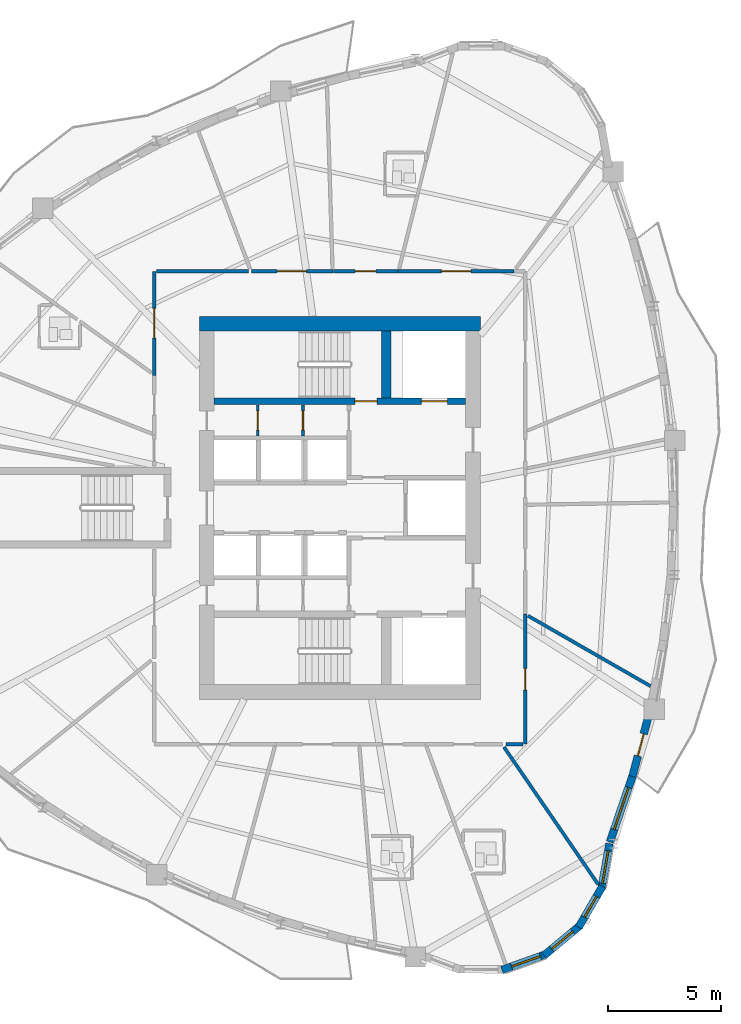
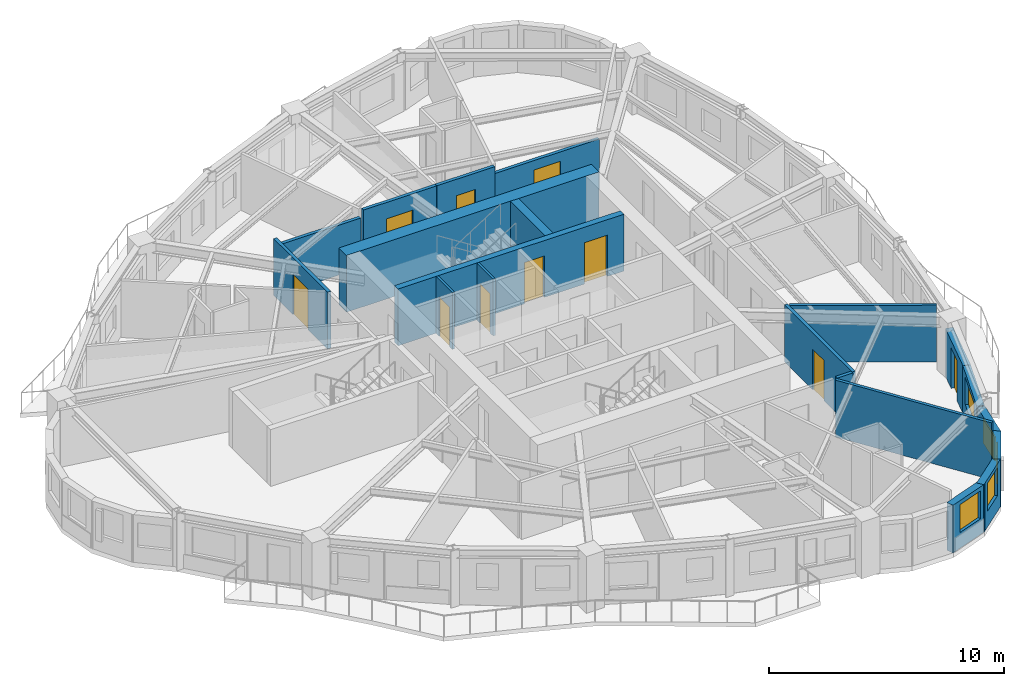
# One storey, part 6 of 12: 20 walls, 10 doors, 5 windows, 15 openings.
"""IFC4 building model written with IfcOpenShell, lengths in metres."""

import ifcopenshell
import ifcopenshell.guid

model = None  # the IFC model being written
_history = None  # IfcOwnerHistory: only IFC2X3 demands one
_inside = {}  # id of a spatial element -> (the spatial element, [elements in it])
_under = {}  # id of a project, library or spatial element -> (it, [spatial elements below it])
_declared = {}  # id of a project -> (the project, [libraries it declares])
_typed = {}  # id of a type object -> (the type object, [elements of that type])
_made_of = {}  # id of a material, layer set ... -> (it, [elements and type objects made of it])


def new_model(schema):
    """Start an empty IFC model of exactly this schema.

    Asked for "IFC4X3", IfcOpenShell would pick the latest addendum, in which some entities
    have other attributes; the version numbers below select the first issue.
    IFC2X3 requires an IfcOwnerHistory on every rooted entity: one is made here for all.
    """
    global model, _history
    if schema == "IFC4X3":
        model = ifcopenshell.file(schema_version=(4, 3, 0, 0))
    else:
        model = ifcopenshell.file(schema=schema)
    _inside.clear()
    _under.clear()
    _declared.clear()
    _typed.clear()
    _made_of.clear()
    _history = None
    if model.schema == "IFC2X3":
        org = make("IfcOrganization", Name="unknown")
        user = make(
            "IfcPersonAndOrganization",
            ThePerson=make("IfcPerson", FamilyName="unknown"),
            TheOrganization=org,
        )
        app = make(
            "IfcApplication",
            ApplicationDeveloper=org,
            Version="unknown",
            ApplicationFullName="unknown",
            ApplicationIdentifier="unknown",
        )
        _history = make(
            "IfcOwnerHistory",
            OwningUser=user,
            OwningApplication=app,
            ChangeAction="ADDED",
            CreationDate=0,
        )
    return model


def make(cls, **values):
    """One entity of the class cls with the attributes given. An attribute that is None is left unset."""
    return model.create_entity(
        cls, **{name: value for name, value in values.items() if value is not None}
    )


def rooted(cls, **values):
    """An entity with a GlobalId (a new one), such as an element, a storey or a relation."""
    return make(cls, GlobalId=ifcopenshell.guid.new(), OwnerHistory=_history, **values)


def si_unit(unit_type, name, prefix=None):
    """IfcSIUnit, for example si_unit("LENGTHUNIT", "METRE", prefix="MILLI")."""
    return make("IfcSIUnit", UnitType=unit_type, Prefix=prefix, Name=name)


def assignment(units):
    """IfcUnitAssignment: the units of a project."""
    return None if units is None else make("IfcUnitAssignment", Units=units)


def point(xyz):
    """IfcCartesianPoint."""
    return None if xyz is None else make("IfcCartesianPoint", Coordinates=xyz)


def direction(xyz):
    """IfcDirection."""
    return None if xyz is None else make("IfcDirection", DirectionRatios=xyz)


def frame(location, z_axis=None, x_axis=None):
    """IfcAxis2Placement3D, a coordinate frame: its origin and axes. An axis left out is left unset."""
    return make(
        "IfcAxis2Placement3D",
        Location=point(location),
        Axis=direction(z_axis),
        RefDirection=direction(x_axis),
    )


def frame_2d(location, x_axis=None):
    """IfcAxis2Placement2D, a coordinate frame in the plane: its origin and x axis."""
    return make(
        "IfcAxis2Placement2D", Location=point(location), RefDirection=direction(x_axis)
    )


def origin():
    """The frame at (0, 0, 0) with its axes left unset."""
    return frame((0.0, 0.0, 0.0))


def place(relative_to, where):
    """IfcLocalPlacement: puts the frame where relative to a parent placement (None: the world)."""
    return make(
        "IfcLocalPlacement", PlacementRelTo=relative_to, RelativePlacement=where
    )


def context(
    kind, dimensions, precision=None, world=None, true_north=None, identifier=None
):
    """IfcGeometricRepresentationContext, for example the 3D "Model" context."""
    return make(
        "IfcGeometricRepresentationContext",
        ContextIdentifier=identifier,
        ContextType=kind,
        CoordinateSpaceDimension=dimensions,
        Precision=precision,
        WorldCoordinateSystem=world,
        TrueNorth=true_north,
    )


def subcontext(parent, identifier, kind, view, scale=None):
    """IfcGeometricRepresentationSubContext, for example "Body" below "Model"."""
    return make(
        "IfcGeometricRepresentationSubContext",
        ContextIdentifier=identifier,
        ContextType=kind,
        ParentContext=parent,
        TargetScale=scale,
        TargetView=view,
    )


def project(units=None, contexts=None):
    """IfcProject with its units and contexts."""
    return rooted(
        "IfcProject",
        Name="project",
        RepresentationContexts=contexts,
        UnitsInContext=assignment(units),
    )


def spatial(cls, under=None, at=None, **own):
    """A site, building, storey or space (cls), placed at a placement, below another one or the project."""
    s = rooted(cls, ObjectPlacement=at, **own)
    if under is not None:
        _under.setdefault(under.id(), (under, []))[1].append(s)
    return s


def profile(cls, at=None, kind="AREA", **sizes):
    """A parametric profile (cls). Its sizes go by their IFC names, for example OverallWidth=200.0."""
    return make(cls, ProfileType=kind, Position=at, **sizes)


def rectangle(**sizes):
    """IfcRectangleProfileDef."""
    return profile("IfcRectangleProfileDef", **sizes)


def extrude(swept, where, along, depth):
    """IfcExtrudedAreaSolid: the profile swept, set in the frame where, extruded along a direction by depth."""
    return make(
        "IfcExtrudedAreaSolid",
        SweptArea=swept,
        Position=where,
        ExtrudedDirection=direction(along),
        Depth=depth,
    )


def shape(context_of_items, identifier, shape_type, items):
    """IfcShapeRepresentation: the items that make up one representation, for example the "Body"."""
    return make(
        "IfcShapeRepresentation",
        ContextOfItems=context_of_items,
        RepresentationIdentifier=identifier,
        RepresentationType=shape_type,
        Items=items,
    )


def source(mapping_origin, context_of_items, identifier, shape_type, items):
    """IfcRepresentationMap: a shape defined once, which mapped items show again and again."""
    return make(
        "IfcRepresentationMap",
        MappingOrigin=mapping_origin,
        MappedRepresentation=shape(context_of_items, identifier, shape_type, items),
    )


def transform(
    local_origin,
    x_axis=None,
    y_axis=None,
    z_axis=None,
    scale=None,
    scale2=None,
    scale3=None,
    uniform=True,
):
    """IfcCartesianTransformationOperator3D, or its non-uniform kind. x_axis, y_axis, z_axis: its Axis1, 2, 3."""
    if uniform:
        return make(
            "IfcCartesianTransformationOperator3D",
            Axis1=direction(x_axis),
            Axis2=direction(y_axis),
            LocalOrigin=point(local_origin),
            Scale=scale,
            Axis3=direction(z_axis),
        )
    return make(
        "IfcCartesianTransformationOperator3DnonUniform",
        Axis1=direction(x_axis),
        Axis2=direction(y_axis),
        LocalOrigin=point(local_origin),
        Scale=scale,
        Axis3=direction(z_axis),
        Scale2=scale2,
        Scale3=scale3,
    )


def mapped(mapping_source, mapping_target):
    """IfcMappedItem: shows the shape of a source again, moved by a transform."""
    return make(
        "IfcMappedItem", MappingSource=mapping_source, MappingTarget=mapping_target
    )


def material(Name=None, Category=None):
    """IfcMaterial."""
    return make("IfcMaterial", Name=Name, Category=Category)


def layer(
    of_material, thickness, ventilated=None, Name=None, Category=None, Priority=None
):
    """IfcMaterialLayer: one layer of a wall or slab, of a material (None: an air gap)."""
    return make(
        "IfcMaterialLayer",
        Material=of_material,
        LayerThickness=thickness,
        IsVentilated=ventilated,
        Name=Name,
        Category=Category,
        Priority=Priority,
    )


def layer_set(layers, Name=None):
    """IfcMaterialLayerSet."""
    return make("IfcMaterialLayerSet", MaterialLayers=layers, LayerSetName=Name)


def made_of(thing, what):
    """Note that an element or type object is made of a material, layer set ...; save() writes the relation."""
    if what is not None:
        _made_of.setdefault(what.id(), (what, []))[1].append(thing)
    return thing


def type_object(cls, material=None, **own):
    """A type object (cls), such as IfcWallType, which elements share."""
    return made_of(rooted(cls, **own), material)


def element(
    cls,
    number,
    at=None,
    inside=None,
    cuts=None,
    type_object=None,
    material=None,
    context=None,
    identifier="Body",
    shape_type=None,
    held_by="IfcProductDefinitionShape",
    body=None,
    shapes=None,
    **own,
):
    """One element of the class cls, such as IfcWall. Its Tag is "e" and its number.

    at: its placement. inside: the storey or other place that contains it. cuts: it is an
    opening in that element (IfcRelVoidsElement). A single representation is given by context,
    identifier, shape_type and body (its items); several are given by shapes. held_by: the class
    of the entity that holds the representations. save() writes the other relations.
    """
    e = rooted(cls, Tag="e%d" % number, ObjectPlacement=at, **own)
    if body is not None:
        shapes = [shape(context, identifier, shape_type, body)]
    if shapes is not None:
        e.Representation = make(held_by, Representations=shapes)
    if inside is not None:
        _inside.setdefault(inside.id(), (inside, []))[1].append(e)
    if cuts is not None:
        rooted(
            "IfcRelVoidsElement", RelatingBuildingElement=cuts, RelatedOpeningElement=e
        )
    if type_object is not None:
        _typed.setdefault(type_object.id(), (type_object, []))[1].append(e)
    return made_of(e, material)


def fill(opening, filler):
    """IfcRelFillsElement: the door or window that sits in an opening."""
    return rooted(
        "IfcRelFillsElement",
        RelatingOpeningElement=opening,
        RelatedBuildingElement=filler,
    )


def aggregate(whole, parts):
    """IfcRelAggregates: a whole, such as a stair, and the parts it consists of."""
    return rooted("IfcRelAggregates", RelatingObject=whole, RelatedObjects=parts)


def save(model, path):
    """Write the relations noted so far, then the file.

    IfcRelAggregates (storeys below a building ...), IfcRelContainedInSpatialStructure (elements
    in a storey), IfcRelDefinesByType, IfcRelAssociatesMaterial and IfcRelDeclares: one each for
    every whole, place, type object, material and project.
    """
    for whole, parts in _under.values():
        aggregate(whole, parts)
    for where, things in _inside.values():
        rooted(
            "IfcRelContainedInSpatialStructure",
            RelatedElements=things,
            RelatingStructure=where,
        )
    for kind, things in _typed.values():
        rooted("IfcRelDefinesByType", RelatedObjects=things, RelatingType=kind)
    for what, things in _made_of.values():
        rooted("IfcRelAssociatesMaterial", RelatedObjects=things, RelatingMaterial=what)
    for by, libraries in _declared.values():
        rooted("IfcRelDeclares", RelatingContext=by, RelatedDefinitions=libraries)
    model.write(path)


model = new_model("IFC4")

# Units and contexts
model_context = context("Model", 3, precision=1e-05, world=origin(), true_north=direction((0.0, 1.0)))
body_context = subcontext(model_context, "Body", "Model", "MODEL_VIEW")
ifc_project = project(units=[si_unit("LENGTHUNIT", "METRE"), si_unit("AREAUNIT", "SQUARE_METRE"), si_unit("VOLUMEUNIT", "CUBIC_METRE"), si_unit("PLANEANGLEUNIT", "RADIAN"), si_unit("MASSUNIT", "GRAM", prefix="KILO")], contexts=[model_context])

# Site, building, storey
site_placement = place(None, origin())
site = spatial("IfcSite", under=ifc_project, at=site_placement, CompositionType="ELEMENT")
building_placement = place(site_placement, origin())
building = spatial("IfcBuilding", under=site, at=building_placement, Name="Qafzar Sky-Pleat Residences", CompositionType="ELEMENT")
storey_placement = place(building_placement, frame((0.0, 0.0, 121.60009765625)))
storey = spatial("IfcBuildingStorey", under=building, at=storey_placement, Name="L36", CompositionType="ELEMENT", Elevation=121.60009765625)

# Wall, opening, door
ifc_material_1 = material(Name="Acoustic gypsum plasterboard partition", Category="gypsum")
ifc_layer_1 = layer(ifc_material_1, 0.159912109375)
ifc_layer_set_1 = layer_set([ifc_layer_1], Name="Acoustic gypsum plasterboard partition")
wall_type_1 = type_object("IfcWallType", Name="PART-COR-160", PredefinedType="PARTITIONING", material=ifc_layer_set_1)
wall_1_placement = place(storey_placement, frame((38.530029296875, 21.321044921875, 0.0), z_axis=(0.0, 0.0, 1.0), x_axis=(0.0, -1.0, 0.0)))
wall_1 = element("IfcWall", 1, at=wall_1_placement, inside=storey, type_object=wall_type_1, Name="L36 Partition Wall PART-L36-PW-002", PredefinedType="PARTITIONING", context=body_context, shape_type="SweptSolid", body=[
    extrude(rectangle(XDim=5.7509765625, YDim=0.159912109375, at=frame_2d((2.87548828125, 0.0))), origin(), (0.0, 0.0, 1.0), 2.949951171875),
])
opening_1_placement = place(wall_1_placement, frame((2.404052734375, 0.0, 0.0)))
opening_1 = element("IfcOpeningElement", 2, at=opening_1_placement, cuts=wall_1, Name="Opening ID-06", PredefinedType="OPENING", context=body_context, shape_type="SweptSolid", body=[
    extrude(rectangle(XDim=0.9599609375, YDim=2.10009765625, at=frame_2d((0.47998046875, 1.050048828125))), frame((0.0, 0.08984375, 0.0), z_axis=(0.0, -1.0, 0.0), x_axis=(1.0, 0.0, 0.0)), (0.0, 0.0, 1.0), 0.179931640625),
])
ifc_material_2 = material(Name="Timber-faced fire door", Category="wood")
door_type_1 = type_object("IfcDoorType", Name="DR-STD-960", OperationType="NOTDEFINED", PredefinedType="DOOR", material=ifc_material_2)
shared_shape_1 = source(origin(), body_context, "Body", "SweptSolid", [
    extrude(rectangle(XDim=0.9599609375, YDim=2.10009765625, at=frame_2d((0.47998046875, 1.050048828125))), frame((0.0, 0.02490234375, 0.0), z_axis=(0.0, -1.0, 0.0), x_axis=(1.0, 0.0, 0.0)), (0.0, 0.0, 1.0), 0.050048828125),
])
door_1_placement = place(opening_1_placement, origin())
door_1 = element("IfcDoor", 3, at=door_1_placement, inside=storey, type_object=door_type_1, Name="L36 Wellness Yoga Studio Door", OperationType="SINGLE_SWING_RIGHT", OverallHeight=2.10009765625, OverallWidth=0.9599609375, PredefinedType="DOOR", context=body_context, shape_type="MappedRepresentation", body=[
    mapped(shared_shape_1, transform((0.0, 0.0, 0.0), x_axis=(1.0, 0.0, 0.0), y_axis=(0.0, 1.0, 0.0), z_axis=(0.0, 0.0, 1.0), scale=1.0)),
])
fill(opening_1, door_1)

wall_2_placement = place(storey_placement, frame((32.925048828125, 36.429931640625, 0.0), z_axis=(0.0, 0.0, 1.0), x_axis=(1.0, 0.0, 0.0)))
wall_2 = element("IfcWall", 4, at=wall_2_placement, inside=storey, type_object=wall_type_1, Name="L36 Partition Wall PART-L36-PW-004", PredefinedType="PARTITIONING", context=body_context, shape_type="SweptSolid", body=[
    extrude(rectangle(XDim=5.117919921875, YDim=0.159912109375, at=frame_2d((2.55908203125, 0.0))), origin(), (0.0, 0.0, 1.0), 2.587890625),
])
opening_2_placement = place(wall_2_placement, frame((1.907470703125, 0.0, 0.0)))
opening_2 = element("IfcOpeningElement", 5, at=opening_2_placement, cuts=wall_2, Name="Opening ID-05", PredefinedType="OPENING", context=body_context, shape_type="SweptSolid", body=[
    extrude(rectangle(XDim=1.300048828125, YDim=2.10009765625, at=frame_2d((0.64990234375, 1.050048828125))), frame((0.0, 0.08984375, 0.0), z_axis=(0.0, -1.0, 0.0), x_axis=(1.0, 0.0, 0.0)), (0.0, 0.0, 1.0), 0.179931640625),
])
door_type_2 = type_object("IfcDoorType", Name="DR-LNG-1300", OperationType="DOUBLE_DOOR_SINGLE_SWING", PredefinedType="DOOR", material=ifc_material_2)
shared_shape_2 = source(origin(), body_context, "Body", "SweptSolid", [
    extrude(rectangle(XDim=1.300048828125, YDim=2.10009765625, at=frame_2d((0.64990234375, 1.050048828125))), frame((0.0, 0.02490234375, 0.0), z_axis=(0.0, -1.0, 0.0), x_axis=(1.0, 0.0, 0.0)), (0.0, 0.0, 1.0), 0.050048828125),
])
door_2_placement = place(opening_2_placement, origin())
door_2 = element("IfcDoor", 6, at=door_2_placement, inside=storey, type_object=door_type_2, Name="L36 Tutorial Huddle Room Door", OperationType="DOUBLE_DOOR_SINGLE_SWING", OverallHeight=2.10009765625, OverallWidth=1.300048828125, PredefinedType="DOOR", context=body_context, shape_type="MappedRepresentation", body=[
    mapped(shared_shape_2, transform((0.0, 0.0, 0.0), x_axis=(1.0, 0.0, 0.0), y_axis=(0.0, 1.0, 0.0), z_axis=(0.0, 0.0, 1.0), scale=1.0)),
])
fill(opening_2, door_2)

wall_3_placement = place(storey_placement, frame((22.169921875, 31.843994140625, 0.0), z_axis=(0.0, 0.0, 1.0), x_axis=(0.0, 1.0, 0.0)))
wall_3 = element("IfcWall", 7, at=wall_3_placement, inside=storey, type_object=wall_type_1, Name="L36 Partition Wall PART-L36-PW-007", PredefinedType="PARTITIONING", context=body_context, shape_type="SweptSolid", body=[
    extrude(rectangle(XDim=4.5859375, YDim=0.159912109375, at=frame_2d((2.29296875, 0.0))), origin(), (0.0, 0.0, 1.0), 2.949951171875),
])
opening_3_placement = place(wall_3_placement, frame((1.652587890625, 0.0, 0.0)))
opening_3 = element("IfcOpeningElement", 8, at=opening_3_placement, cuts=wall_3, Name="Opening ID-05", PredefinedType="OPENING", context=body_context, shape_type="SweptSolid", body=[
    extrude(rectangle(XDim=1.300048828125, YDim=2.10009765625, at=frame_2d((0.64990234375, 1.050048828125))), frame((0.0, 0.08984375, 0.0), z_axis=(0.0, -1.0, 0.0), x_axis=(1.0, 0.0, 0.0)), (0.0, 0.0, 1.0), 0.179931640625),
])
door_3_placement = place(opening_3_placement, origin())
door_3 = element("IfcDoor", 9, at=door_3_placement, inside=storey, type_object=door_type_2, Name="L36 Graduate Lecture Room Door", OperationType="DOUBLE_DOOR_SINGLE_SWING", OverallHeight=2.10009765625, OverallWidth=1.300048828125, PredefinedType="DOOR", context=body_context, shape_type="MappedRepresentation", body=[
    mapped(shared_shape_2, transform((0.0, 0.0, 0.0), x_axis=(1.0, 0.0, 0.0), y_axis=(0.0, 1.0, 0.0), z_axis=(0.0, 0.0, 1.0), scale=1.0)),
])
fill(opening_3, door_3)

wall_4_placement = place(storey_placement, frame((26.462890625, 36.429931640625, 0.0), z_axis=(0.0, 0.0, 1.0), x_axis=(1.0, 0.0, 0.0)))
wall_4 = element("IfcWall", 10, at=wall_4_placement, inside=storey, type_object=wall_type_1, Name="L36 Partition Wall PART-L36-PW-009", PredefinedType="PARTITIONING", context=body_context, shape_type="SweptSolid", body=[
    extrude(rectangle(XDim=3.585205078125, YDim=0.159912109375, at=frame_2d((1.79248046875, 0.0))), origin(), (0.0, 0.0, 1.0), 2.949951171875),
])
opening_4_placement = place(wall_4_placement, frame((1.119384765625, 0.0, 0.0)))
opening_4 = element("IfcOpeningElement", 11, at=opening_4_placement, cuts=wall_4, Name="Opening ID-05", PredefinedType="OPENING", context=body_context, shape_type="SweptSolid", body=[
    extrude(rectangle(XDim=1.300048828125, YDim=2.10009765625, at=frame_2d((0.64990234375, 1.050048828125))), frame((0.0, 0.08984375, 0.0), z_axis=(0.0, -1.0, 0.0), x_axis=(1.0, 0.0, 0.0)), (0.0, 0.0, 1.0), 0.179931640625),
])
door_4_placement = place(opening_4_placement, origin())
door_4 = element("IfcDoor", 12, at=door_4_placement, inside=storey, type_object=door_type_2, Name="L36 Communal Kitchen Door", OperationType="DOUBLE_DOOR_SINGLE_SWING", OverallHeight=2.10009765625, OverallWidth=1.300048828125, PredefinedType="DOOR", context=body_context, shape_type="MappedRepresentation", body=[
    mapped(shared_shape_2, transform((0.0, 0.0, 0.0), x_axis=(1.0, 0.0, 0.0), y_axis=(0.0, 1.0, 0.0), z_axis=(0.0, 0.0, 1.0), scale=1.0)),
])
fill(opening_4, door_4)

wall_5_placement = place(storey_placement, frame((30.06298828125, 36.429931640625, 0.0), z_axis=(0.0, 0.0, 1.0), x_axis=(1.0, 0.0, 0.0)))
wall_5 = element("IfcWall", 13, at=wall_5_placement, inside=storey, type_object=wall_type_1, Name="L36 Partition Wall PART-L36-PW-012", PredefinedType="PARTITIONING", context=body_context, shape_type="SweptSolid", body=[
    extrude(rectangle(XDim=2.846923828125, YDim=0.159912109375, at=frame_2d((1.42333984375, 0.0))), origin(), (0.0, 0.0, 1.0), 2.949951171875),
])
opening_5_placement = place(wall_5_placement, frame((0.964111328125, 0.0, 0.0)))
opening_5 = element("IfcOpeningElement", 14, at=opening_5_placement, cuts=wall_5, Name="Opening ID-04", PredefinedType="OPENING", context=body_context, shape_type="SweptSolid", body=[
    extrude(rectangle(XDim=0.919921875, YDim=2.10009765625, at=frame_2d((0.4599609375, 1.050048828125))), frame((0.0, 0.08984375, 0.0), z_axis=(0.0, -1.0, 0.0), x_axis=(1.0, 0.0, 0.0)), (0.0, 0.0, 1.0), 0.179931640625),
])
door_type_3 = type_object("IfcDoorType", Name="DR-BED-920", OperationType="NOTDEFINED", PredefinedType="DOOR", material=ifc_material_2)
shared_shape_3 = source(origin(), body_context, "Body", "SweptSolid", [
    extrude(rectangle(XDim=0.919921875, YDim=2.10009765625, at=frame_2d((0.4599609375, 1.050048828125))), frame((0.0, 0.02490234375, 0.0), z_axis=(0.0, -1.0, 0.0), x_axis=(1.0, 0.0, 0.0)), (0.0, 0.0, 1.0), 0.050048828125),
])
door_5_placement = place(opening_5_placement, origin())
door_5 = element("IfcDoor", 15, at=door_5_placement, inside=storey, type_object=door_type_3, Name="L36 Co-Living Bedroom 1 Door", OperationType="SINGLE_SWING_RIGHT", OverallHeight=2.10009765625, OverallWidth=0.919921875, PredefinedType="DOOR", context=body_context, shape_type="MappedRepresentation", body=[
    mapped(shared_shape_3, transform((0.0, 0.0, 0.0), x_axis=(1.0, 0.0, 0.0), y_axis=(0.0, 1.0, 0.0), z_axis=(0.0, 0.0, 1.0), scale=1.0)),
])
fill(opening_5, door_5)

# Walls
wall_6_placement = place(storey_placement, frame((22.258056640625, 36.429931640625, 0.0), z_axis=(0.0, 0.0, 1.0), x_axis=(1.0, 0.0, 0.0)))
element("IfcWall", 16, at=wall_6_placement, inside=storey, type_object=wall_type_1, Name="L36 Partition Wall PART-L36-PW-037", PredefinedType="PARTITIONING", context=body_context, shape_type="SweptSolid", body=[
    extrude(rectangle(XDim=4.074462890625, YDim=0.159912109375, at=frame_2d((2.037109375, 0.0))), origin(), (0.0, 0.0, 1.0), 2.587890625),
])
wall_7_placement = place(storey_placement, frame((37.689697265625, 15.570068359375, 0.0), z_axis=(0.0, 0.0, 1.0), x_axis=(1.0, 0.0, 0.0)))
element("IfcWall", 17, at=wall_7_placement, inside=storey, type_object=wall_type_1, Name="L36 Partition Wall PART-L36-PW-053", PredefinedType="PARTITIONING", context=body_context, shape_type="SweptSolid", body=[
    extrude(rectangle(XDim=0.752197265625, YDim=0.159912109375, at=frame_2d((0.3759765625, 0.0))), origin(), (0.0, 0.0, 1.0), 2.949951171875),
])

# Wall, opening, door
ifc_material_3 = material(Name="Gypsum plasterboard partition", Category="gypsum")
ifc_layer_2 = layer(ifc_material_3, 0.114990234375)
ifc_layer_set_2 = layer_set([ifc_layer_2], Name="Gypsum plasterboard partition")
wall_type_2 = type_object("IfcWallType", Name="PART-SVC-115", PredefinedType="PARTITIONING", material=ifc_layer_set_2)
wall_8_placement = place(storey_placement, frame((26.72509765625, 29.159912109375, 0.0), z_axis=(0.0, 0.0, 1.0), x_axis=(0.0, 1.0, 0.0)))
wall_8 = element("IfcWall", 18, at=wall_8_placement, inside=storey, type_object=wall_type_2, Name="L36 Partition Wall PART-L36-KC-NW-1", PredefinedType="PARTITIONING", context=body_context, shape_type="SweptSolid", body=[
    extrude(rectangle(XDim=1.380126953125, YDim=0.114990234375, at=frame_2d((0.68994140625, 0.0))), origin(), (0.0, 0.0, 1.0), 2.949951171875),
])
opening_6_placement = place(wall_8_placement, frame((0.260009765625, 0.0, 0.0)))
opening_6 = element("IfcOpeningElement", 19, at=opening_6_placement, cuts=wall_8, Name="Opening ID-09", PredefinedType="OPENING", context=body_context, shape_type="SweptSolid", body=[
    extrude(rectangle(XDim=0.860107421875, YDim=2.050048828125, at=frame_2d((0.43017578125, 1.02490234375))), frame((0.0, 0.0673828125, 0.0), z_axis=(0.0, -1.0, 0.0), x_axis=(1.0, 0.0, 0.0)), (0.0, 0.0, 1.0), 0.135009765625),
])
door_type_4 = type_object("IfcDoorType", Name="DR-SVC-860", OperationType="NOTDEFINED", PredefinedType="DOOR", material=ifc_material_2)
shared_shape_4 = source(origin(), body_context, "Body", "SweptSolid", [
    extrude(rectangle(XDim=0.860107421875, YDim=2.050048828125, at=frame_2d((0.43017578125, 1.02490234375))), frame((0.0, 0.02490234375, 0.0), z_axis=(0.0, -1.0, 0.0), x_axis=(1.0, 0.0, 0.0)), (0.0, 0.0, 1.0), 0.050048828125),
])
door_6_placement = place(opening_6_placement, origin())
door_6 = element("IfcDoor", 20, at=door_6_placement, inside=storey, type_object=door_type_4, Name="L36 Core North Cupboard 1 Door", OperationType="SINGLE_SWING_RIGHT", OverallHeight=2.050048828125, OverallWidth=0.860107421875, PredefinedType="DOOR", context=body_context, shape_type="MappedRepresentation", body=[
    mapped(shared_shape_4, transform((0.0, 0.0, 0.0), x_axis=(1.0, 0.0, 0.0), y_axis=(0.0, 1.0, 0.0), z_axis=(0.0, 0.0, 1.0), scale=1.0)),
])
fill(opening_6, door_6)

wall_9_placement = place(storey_placement, frame((28.72509765625, 29.159912109375, 0.0), z_axis=(0.0, 0.0, 1.0), x_axis=(0.0, 1.0, 0.0)))
wall_9 = element("IfcWall", 21, at=wall_9_placement, inside=storey, type_object=wall_type_2, Name="L36 Partition Wall PART-L36-KC-NW-2", PredefinedType="PARTITIONING", context=body_context, shape_type="SweptSolid", body=[
    extrude(rectangle(XDim=1.380126953125, YDim=0.114990234375, at=frame_2d((0.68994140625, 0.0))), origin(), (0.0, 0.0, 1.0), 2.949951171875),
])
opening_7_placement = place(wall_9_placement, frame((0.260009765625, 0.0, 0.0)))
opening_7 = element("IfcOpeningElement", 22, at=opening_7_placement, cuts=wall_9, Name="Opening ID-09", PredefinedType="OPENING", context=body_context, shape_type="SweptSolid", body=[
    extrude(rectangle(XDim=0.860107421875, YDim=2.050048828125, at=frame_2d((0.43017578125, 1.02490234375))), frame((0.0, 0.0673828125, 0.0), z_axis=(0.0, -1.0, 0.0), x_axis=(1.0, 0.0, 0.0)), (0.0, 0.0, 1.0), 0.135009765625),
])
door_7_placement = place(opening_7_placement, origin())
door_7 = element("IfcDoor", 23, at=door_7_placement, inside=storey, type_object=door_type_4, Name="L36 Core North Cupboard 2 Door", OperationType="SINGLE_SWING_RIGHT", OverallHeight=2.050048828125, OverallWidth=0.860107421875, PredefinedType="DOOR", context=body_context, shape_type="MappedRepresentation", body=[
    mapped(shared_shape_4, transform((0.0, 0.0, 0.0), x_axis=(1.0, 0.0, 0.0), y_axis=(0.0, 1.0, 0.0), z_axis=(0.0, 0.0, 1.0), scale=1.0)),
])
fill(opening_7, door_7)

# Walls
ifc_layer_3 = layer(ifc_material_1, 0.14501953125)
ifc_layer_set_3 = layer_set([ifc_layer_3], Name="Acoustic gypsum plasterboard partition")
wall_type_3 = type_object("IfcWallType", Name="PART-UNIT-145", PredefinedType="PARTITIONING", material=ifc_layer_set_3)
wall_10_placement = place(storey_placement, frame((37.593505859375, 15.4423828125, 0.0), z_axis=(0.0, 0.0, 1.0), x_axis=(0.565681325722, -0.824623937155, 0.0)))
element("IfcWall", 24, at=wall_10_placement, inside=storey, type_object=wall_type_3, Name="L36 Partition Wall PART-L36-PW-026", PredefinedType="PARTITIONING", context=body_context, shape_type="SweptSolid", body=[
    extrude(rectangle(XDim=7.350341796875, YDim=0.14501953125, at=frame_2d((3.67529296875, 0.0))), origin(), (0.0, 0.0, 1.0), 2.949951171875),
])
wall_11_placement = place(storey_placement, frame((38.653076171875, 21.2333984375, 0.0), z_axis=(0.0, 0.0, 1.0), x_axis=(0.86726592845, -0.49784516604, 0.0)))
element("IfcWall", 25, at=wall_11_placement, inside=storey, type_object=wall_type_3, Name="L36 Partition Wall PART-L36-PW-031", PredefinedType="PARTITIONING", context=body_context, shape_type="SweptSolid", body=[
    extrude(rectangle(XDim=6.2373046875, YDim=0.14501953125, at=frame_2d((3.11865234375, 0.0))), origin(), (0.0, 0.0, 1.0), 2.949951171875),
])

# Wall, opening, window
ifc_material_4 = material(Name="Precast concrete C40/50 with honed Riyadh limestone", Category="concrete")
ifc_layer_4 = layer(ifc_material_4, 0.340087890625)
ifc_layer_set_4 = layer_set([ifc_layer_4], Name="Precast concrete C40/50 with honed Riyadh limestone")
wall_type_4 = type_object("IfcWallType", Name="WALL-EXT-340", PredefinedType="SOLIDWALL", material=ifc_layer_set_4)
wall_12_placement = place(storey_placement, frame((37.501708984375, 5.601806640625, 0.0), z_axis=(0.0, 0.0, 1.0), x_axis=(0.941523304278, 0.336947870598, 0.0)))
wall_12 = element("IfcWall", 26, at=wall_12_placement, inside=storey, type_object=wall_type_4, Name="L36 Limestone Facade Wall 19", PredefinedType="SOLIDWALL", context=body_context, shape_type="SweptSolid", body=[
    extrude(rectangle(XDim=2.09912109375, YDim=0.340087890625, at=frame_2d((1.049560546875, 0.0))), origin(), (0.0, 0.0, 1.0), 2.47998046875),
])
opening_8_placement = place(wall_12_placement, frame((0.455322265625, 0.0, 0.820068359375)))
opening_8 = element("IfcOpeningElement", 27, at=opening_8_placement, cuts=wall_12, Name="Opening WN-04", PredefinedType="OPENING", context=body_context, shape_type="SweptSolid", body=[
    extrude(rectangle(XDim=1.35009765625, YDim=1.449951171875, at=frame_2d((0.675048828125, 0.72509765625))), frame((0.0, 0.18017578125, 0.0), z_axis=(0.0, -1.0, 0.0), x_axis=(1.0, 0.0, 0.0)), (0.0, 0.0, 1.0), 0.360107421875),
])
ifc_material_5 = material(Name="Solar-control low-E glass in bronze aluminium frame", Category="glass")
window_type_1 = type_object("IfcWindowType", Name="WIN-04", PartitioningType="SINGLE_PANEL", PredefinedType="WINDOW", material=ifc_material_5)
shared_shape_5 = source(origin(), body_context, "Body", "SweptSolid", [
    extrude(rectangle(XDim=1.35009765625, YDim=1.449951171875, at=frame_2d((0.675048828125, 0.72509765625))), frame((0.0, 0.030029296875, 0.0), z_axis=(0.0, -1.0, 0.0), x_axis=(1.0, 0.0, 0.0)), (0.0, 0.0, 1.0), 0.06005859375),
])
window_1_placement = place(opening_8_placement, origin())
window_1 = element("IfcWindow", 28, at=window_1_placement, inside=storey, type_object=window_type_1, Name="L36 Punched Facade Window 19", OverallHeight=1.449951171875, OverallWidth=1.35009765625, PartitioningType="SINGLE_PANEL", PredefinedType="WINDOW", context=body_context, shape_type="MappedRepresentation", body=[
    mapped(shared_shape_5, transform((0.0, 0.0, 0.0), x_axis=(1.0, 0.0, 0.0), y_axis=(0.0, 1.0, 0.0), z_axis=(0.0, 0.0, 1.0), scale=1.0)),
])
fill(opening_8, window_1)

wall_13_placement = place(storey_placement, frame((39.361572265625, 6.242431640625, 0.0), z_axis=(0.0, 0.0, 1.0), x_axis=(0.768440501876, 0.639921241308, 0.0)))
wall_13 = element("IfcWall", 29, at=wall_13_placement, inside=storey, type_object=wall_type_4, Name="L36 Limestone Facade Wall 20", PredefinedType="SOLIDWALL", context=body_context, shape_type="SweptSolid", body=[
    extrude(rectangle(XDim=2.09912109375, YDim=0.340087890625, at=frame_2d((1.049560546875, 0.0))), origin(), (0.0, 0.0, 1.0), 2.47998046875),
])
opening_9_placement = place(wall_13_placement, frame((0.449462890625, 0.0, 0.820068359375)))
opening_9 = element("IfcOpeningElement", 30, at=opening_9_placement, cuts=wall_13, Name="Opening WN-05", PredefinedType="OPENING", context=body_context, shape_type="SweptSolid", body=[
    extrude(rectangle(XDim=1.199951171875, YDim=1.449951171875, at=frame_2d((0.60009765625, 0.72509765625))), frame((0.0, 0.18017578125, 0.0), z_axis=(0.0, -1.0, 0.0), x_axis=(1.0, 0.0, 0.0)), (0.0, 0.0, 1.0), 0.360107421875),
])
window_type_2 = type_object("IfcWindowType", Name="WIN-05", PartitioningType="SINGLE_PANEL", PredefinedType="WINDOW", material=ifc_material_5)
shared_shape_6 = source(origin(), body_context, "Body", "SweptSolid", [
    extrude(rectangle(XDim=1.199951171875, YDim=1.449951171875, at=frame_2d((0.60009765625, 0.72509765625))), frame((0.0, 0.030029296875, 0.0), z_axis=(0.0, -1.0, 0.0), x_axis=(1.0, 0.0, 0.0)), (0.0, 0.0, 1.0), 0.06005859375),
])
window_2_placement = place(opening_9_placement, origin())
window_2 = element("IfcWindow", 31, at=window_2_placement, inside=storey, type_object=window_type_2, Name="L36 Punched Facade Window 20", OverallHeight=1.449951171875, OverallWidth=1.199951171875, PartitioningType="SINGLE_PANEL", PredefinedType="WINDOW", context=body_context, shape_type="MappedRepresentation", body=[
    mapped(shared_shape_6, transform((0.0, 0.0, 0.0), x_axis=(1.0, 0.0, 0.0), y_axis=(0.0, 1.0, 0.0), z_axis=(0.0, 0.0, 1.0), scale=1.0)),
])
fill(opening_9, window_2)

wall_14_placement = place(storey_placement, frame((40.88818359375, 7.483154296875, 0.0), z_axis=(0.0, 0.0, 1.0), x_axis=(0.501902596059, 0.864924149315, 0.0)))
wall_14 = element("IfcWall", 32, at=wall_14_placement, inside=storey, type_object=wall_type_4, Name="L36 Limestone Facade Wall 21", PredefinedType="SOLIDWALL", context=body_context, shape_type="SweptSolid", body=[
    extrude(rectangle(XDim=2.098876953125, YDim=0.340087890625, at=frame_2d((1.04931640625, 0.0))), origin(), (0.0, 0.0, 1.0), 2.47998046875),
])
opening_10_placement = place(wall_14_placement, frame((0.5244140625, 0.0, 0.820068359375)))
opening_10 = element("IfcOpeningElement", 33, at=opening_10_placement, cuts=wall_14, Name="Opening WN-06", PredefinedType="OPENING", context=body_context, shape_type="SweptSolid", body=[
    extrude(rectangle(XDim=1.050048828125, YDim=1.449951171875, at=frame_2d((0.52490234375, 0.72509765625))), frame((0.0, 0.18017578125, 0.0), z_axis=(0.0, -1.0, 0.0), x_axis=(1.0, 0.0, 0.0)), (0.0, 0.0, 1.0), 0.360107421875),
])
window_type_3 = type_object("IfcWindowType", Name="WIN-06", PartitioningType="SINGLE_PANEL", PredefinedType="WINDOW", material=ifc_material_5)
shared_shape_7 = source(origin(), body_context, "Body", "SweptSolid", [
    extrude(rectangle(XDim=1.050048828125, YDim=1.449951171875, at=frame_2d((0.52490234375, 0.72509765625))), frame((0.0, 0.030029296875, 0.0), z_axis=(0.0, -1.0, 0.0), x_axis=(1.0, 0.0, 0.0)), (0.0, 0.0, 1.0), 0.06005859375),
])
window_3_placement = place(opening_10_placement, origin())
window_3 = element("IfcWindow", 34, at=window_3_placement, inside=storey, type_object=window_type_3, Name="L36 Punched Facade Window 21", OverallHeight=1.449951171875, OverallWidth=1.050048828125, PartitioningType="SINGLE_PANEL", PredefinedType="WINDOW", context=body_context, shape_type="MappedRepresentation", body=[
    mapped(shared_shape_7, transform((0.0, 0.0, 0.0), x_axis=(1.0, 0.0, 0.0), y_axis=(0.0, 1.0, 0.0), z_axis=(0.0, 0.0, 1.0), scale=1.0)),
])
fill(opening_10, window_3)

wall_15_placement = place(storey_placement, frame((41.895751953125, 9.172607421875, 0.0), z_axis=(0.0, 0.0, 1.0), x_axis=(0.174399433509, 0.984674990843, 0.0)))
wall_15 = element("IfcWall", 35, at=wall_15_placement, inside=storey, type_object=wall_type_4, Name="L36 Limestone Facade Wall 22", PredefinedType="SOLIDWALL", context=body_context, shape_type="SweptSolid", body=[
    extrude(rectangle(XDim=2.041015625, YDim=0.340087890625, at=frame_2d((1.0205078125, 0.0))), origin(), (0.0, 0.0, 1.0), 2.47998046875),
])
opening_11_placement = place(wall_15_placement, frame((0.2666015625, 0.0, 0.820068359375)))
opening_11 = element("IfcOpeningElement", 36, at=opening_11_placement, cuts=wall_15, Name="Opening WN-15", PredefinedType="OPENING", context=body_context, shape_type="SweptSolid", body=[
    extrude(rectangle(XDim=1.449951171875, YDim=1.25, at=frame_2d((0.72509765625, 0.625))), frame((0.0, 0.18017578125, 0.0), z_axis=(0.0, -1.0, 0.0), x_axis=(1.0, 0.0, 0.0)), (0.0, 0.0, 1.0), 0.360107421875),
])
window_type_4 = type_object("IfcWindowType", Name="WIN-15", PartitioningType="SINGLE_PANEL", PredefinedType="WINDOW", material=ifc_material_5)
shared_shape_8 = source(origin(), body_context, "Body", "SweptSolid", [
    extrude(rectangle(XDim=1.449951171875, YDim=1.25, at=frame_2d((0.72509765625, 0.625))), frame((0.0, 0.030029296875, 0.0), z_axis=(0.0, -1.0, 0.0), x_axis=(1.0, 0.0, 0.0)), (0.0, 0.0, 1.0), 0.06005859375),
])
window_4_placement = place(opening_11_placement, origin())
window_4 = element("IfcWindow", 37, at=window_4_placement, inside=storey, type_object=window_type_4, Name="L36 Punched Facade Window 22", OverallHeight=1.25, OverallWidth=1.449951171875, PartitioningType="SINGLE_PANEL", PredefinedType="WINDOW", context=body_context, shape_type="MappedRepresentation", body=[
    mapped(shared_shape_8, transform((0.0, 0.0, 0.0), x_axis=(1.0, 0.0, 0.0), y_axis=(0.0, 1.0, 0.0), z_axis=(0.0, 0.0, 1.0), scale=1.0)),
])
fill(opening_11, window_4)

wall_16_placement = place(storey_placement, frame((42.26806640625, 11.246337890625, 0.0), z_axis=(0.0, 0.0, 1.0), x_axis=(0.323583674973, 0.946199558915, 0.0)))
wall_16 = element("IfcWall", 38, at=wall_16_placement, inside=storey, type_object=wall_type_4, Name="L36 Limestone Facade Wall 23", PredefinedType="SOLIDWALL", context=body_context, shape_type="SweptSolid", body=[
    extrude(rectangle(XDim=3.15234375, YDim=0.340087890625, at=frame_2d((1.576171875, 0.0))), origin(), (0.0, 0.0, 1.0), 2.47998046875),
])
opening_12_placement = place(wall_16_placement, frame((0.591064453125, 0.0, 0.820068359375)))
opening_12 = element("IfcOpeningElement", 39, at=opening_12_placement, cuts=wall_16, Name="Opening WN-08", PredefinedType="OPENING", context=body_context, shape_type="SweptSolid", body=[
    extrude(rectangle(XDim=1.949951171875, YDim=1.39990234375, at=frame_2d((0.97509765625, 0.699951171875))), frame((0.0, 0.18017578125, 0.0), z_axis=(0.0, -1.0, 0.0), x_axis=(1.0, 0.0, 0.0)), (0.0, 0.0, 1.0), 0.360107421875),
])
window_type_5 = type_object("IfcWindowType", Name="WIN-08", PartitioningType="DOUBLE_PANEL_VERTICAL", PredefinedType="WINDOW", material=ifc_material_5)
shared_shape_9 = source(origin(), body_context, "Body", "SweptSolid", [
    extrude(rectangle(XDim=1.949951171875, YDim=1.39990234375, at=frame_2d((0.97509765625, 0.699951171875))), frame((0.0, 0.030029296875, 0.0), z_axis=(0.0, -1.0, 0.0), x_axis=(1.0, 0.0, 0.0)), (0.0, 0.0, 1.0), 0.06005859375),
])
window_5_placement = place(opening_12_placement, origin())
window_5 = element("IfcWindow", 40, at=window_5_placement, inside=storey, type_object=window_type_5, Name="L36 Punched Facade Window 23", OverallHeight=1.39990234375, OverallWidth=1.949951171875, PartitioningType="SINGLE_PANEL", PredefinedType="WINDOW", context=body_context, shape_type="MappedRepresentation", body=[
    mapped(shared_shape_9, transform((0.0, 0.0, 0.0), x_axis=(1.0, 0.0, 0.0), y_axis=(0.0, 1.0, 0.0), z_axis=(0.0, 0.0, 1.0), scale=1.0)),
])
fill(opening_12, window_5)

# Wall, opening, door
wall_17_placement = place(storey_placement, frame((43.2626953125, 14.14501953125, 0.0), z_axis=(0.0, 0.0, 1.0), x_axis=(0.257086792151, 0.96638831807, 0.0)))
wall_17 = element("IfcWall", 41, at=wall_17_placement, inside=storey, type_object=wall_type_4, Name="L36 Limestone Facade Wall 24", PredefinedType="SOLIDWALL", context=body_context, shape_type="SweptSolid", body=[
    extrude(rectangle(XDim=2.87646484375, YDim=0.340087890625, at=frame_2d((1.438232421875, 0.0))), origin(), (0.0, 0.0, 1.0), 2.47998046875),
])
opening_13_placement = place(wall_17_placement, frame((0.938232421875, 0.0, 0.0)))
opening_13 = element("IfcOpeningElement", 42, at=opening_13_placement, cuts=wall_17, Name="Opening ED-05", PredefinedType="OPENING", context=body_context, shape_type="SweptSolid", body=[
    extrude(rectangle(XDim=1.0, YDim=2.10009765625, at=frame_2d((0.5, 1.050048828125))), frame((0.0, 0.18017578125, 0.0), z_axis=(0.0, -1.0, 0.0), x_axis=(1.0, 0.0, 0.0)), (0.0, 0.0, 1.0), 0.360107421875),
])
ifc_material_6 = material(Name="Glazed bronze aluminium door", Category="aluminium")
door_type_5 = type_object("IfcDoorType", Name="DR-BAL-1000", OperationType="NOTDEFINED", PredefinedType="DOOR", material=ifc_material_6)
shared_shape_10 = source(origin(), body_context, "Body", "SweptSolid", [
    extrude(rectangle(XDim=1.0, YDim=2.10009765625, at=frame_2d((0.5, 1.050048828125))), frame((0.0, 0.02490234375, 0.0), z_axis=(0.0, -1.0, 0.0), x_axis=(1.0, 0.0, 0.0)), (0.0, 0.0, 1.0), 0.050048828125),
])
door_8_placement = place(opening_13_placement, origin())
door_8 = element("IfcDoor", 43, at=door_8_placement, inside=storey, type_object=door_type_5, Name="L36 Glazed Balcony Door 1", OperationType="SINGLE_SWING_LEFT", OverallHeight=2.10009765625, OverallWidth=1.0, PredefinedType="DOOR", context=body_context, shape_type="MappedRepresentation", body=[
    mapped(shared_shape_10, transform((0.0, 0.0, 0.0), x_axis=(1.0, 0.0, 0.0), y_axis=(0.0, 1.0, 0.0), z_axis=(0.0, 0.0, 1.0), scale=1.0)),
])
fill(opening_13, door_8)

# Wall, openings, doors
ifc_material_7 = material(Name="Concrete C60/75", Category="concrete")
ifc_layer_5 = layer(ifc_material_7, 0.300048828125)
ifc_layer_set_5 = layer_set([ifc_layer_5], Name="Concrete C60/75")
wall_type_5 = type_object("IfcWallType", Name="WALL-SHEAR-300", PredefinedType="SHEAR", material=ifc_layer_set_5)
wall_18_placement = place(storey_placement, frame((24.800048828125, 30.699951171875, 0.0), z_axis=(0.0, 0.0, 1.0), x_axis=(1.0, 0.0, 0.0)))
wall_18 = element("IfcWall", 44, at=wall_18_placement, inside=storey, type_object=wall_type_5, Name="L36 Stair ST2 and FF2 Shaft South Wall", PredefinedType="SHEAR", context=body_context, shape_type="SweptSolid", body=[
    extrude(rectangle(XDim=11.099853515625, YDim=0.300048828125, at=frame_2d((5.5498046875, 0.0))), origin(), (0.0, 0.0, 1.0), 2.949951171875),
])
opening_14_placement = place(wall_18_placement, frame((6.219970703125, 0.0, 0.0)))
opening_14 = element("IfcOpeningElement", 45, at=opening_14_placement, cuts=wall_18, Name="Opening ID-01", PredefinedType="OPENING", context=body_context, shape_type="SweptSolid", body=[
    extrude(rectangle(XDim=0.97998046875, YDim=2.14990234375, at=frame_2d((0.489990234375, 1.074951171875))), frame((0.0, 0.16015625, 0.0), z_axis=(0.0, -1.0, 0.0), x_axis=(1.0, 0.0, 0.0)), (0.0, 0.0, 1.0), 0.320068359375),
])
opening_15_placement = place(wall_18_placement, frame((9.14990234375, 0.0, 0.0)))
opening_15 = element("IfcOpeningElement", 46, at=opening_15_placement, cuts=wall_18, Name="Opening LD-02", PredefinedType="OPENING", context=body_context, shape_type="SweptSolid", body=[
    extrude(rectangle(XDim=1.14990234375, YDim=2.14990234375, at=frame_2d((0.574951171875, 1.074951171875))), frame((0.0, 0.16015625, 0.0), z_axis=(0.0, -1.0, 0.0), x_axis=(1.0, 0.0, 0.0)), (0.0, 0.0, 1.0), 0.320068359375),
])
door_type_6 = type_object("IfcDoorType", Name="DR-STAIR-980", OperationType="NOTDEFINED", PredefinedType="DOOR", material=ifc_material_2)
shared_shape_11 = source(origin(), body_context, "Body", "SweptSolid", [
    extrude(rectangle(XDim=0.97998046875, YDim=2.14990234375, at=frame_2d((0.489990234375, 1.074951171875))), frame((0.0, 0.02490234375, 0.0), z_axis=(0.0, -1.0, 0.0), x_axis=(1.0, 0.0, 0.0)), (0.0, 0.0, 1.0), 0.050048828125),
])
door_9_placement = place(opening_14_placement, origin())
door_9 = element("IfcDoor", 47, at=door_9_placement, inside=storey, type_object=door_type_6, Name="L36 Stair ST2 Fire Door", OperationType="SINGLE_SWING_LEFT", OverallHeight=2.14990234375, OverallWidth=0.97998046875, PredefinedType="DOOR", context=body_context, shape_type="MappedRepresentation", body=[
    mapped(shared_shape_11, transform((0.0, 0.0, 0.0), x_axis=(1.0, 0.0, 0.0), y_axis=(0.0, 1.0, 0.0), z_axis=(0.0, 0.0, 1.0), scale=1.0)),
])
fill(opening_14, door_9)
ifc_material_8 = material(Name="Stainless steel sliding landing door", Category="steel")
door_type_7 = type_object("IfcDoorType", Name="DR-LIFT-FF", OperationType="DOUBLE_DOOR_SLIDING", PredefinedType="DOOR", material=ifc_material_8)
shared_shape_12 = source(origin(), body_context, "Body", "SweptSolid", [
    extrude(rectangle(XDim=1.14990234375, YDim=2.14990234375, at=frame_2d((0.574951171875, 1.074951171875))), frame((0.0, 0.02490234375, 0.0), z_axis=(0.0, -1.0, 0.0), x_axis=(1.0, 0.0, 0.0)), (0.0, 0.0, 1.0), 0.050048828125),
])
door_10_placement = place(opening_15_placement, origin())
door_10 = element("IfcDoor", 48, at=door_10_placement, inside=storey, type_object=door_type_7, Name="L36 Firefighting Lift FF2 Landing Door", OperationType="DOUBLE_DOOR_SLIDING", OverallHeight=2.14990234375, OverallWidth=1.14990234375, PredefinedType="DOOR", context=body_context, shape_type="MappedRepresentation", body=[
    mapped(shared_shape_12, transform((0.0, 0.0, 0.0), x_axis=(1.0, 0.0, 0.0), y_axis=(0.0, 1.0, 0.0), z_axis=(0.0, 0.0, 1.0), scale=1.0)),
])
fill(opening_15, door_10)

# Walls
ifc_layer_6 = layer(ifc_material_7, 0.39990234375)
ifc_layer_set_6 = layer_set([ifc_layer_6], Name="Concrete C60/75")
wall_type_6 = type_object("IfcWallType", Name="WALL-SHEAR-400", PredefinedType="SHEAR", material=ifc_layer_set_6)
wall_19_placement = place(storey_placement, frame((32.39990234375, 30.85009765625, 0.0), z_axis=(0.0, 0.0, 1.0), x_axis=(0.0, 1.0, 0.0)))
element("IfcWall", 49, at=wall_19_placement, inside=storey, type_object=wall_type_6, Name="L36 Stair ST2 East Dividing Wall", PredefinedType="SHEAR", context=body_context, shape_type="SweptSolid", body=[
    extrude(rectangle(XDim=2.949951171875, YDim=0.39990234375, at=frame_2d((1.47509765625, 0.0))), origin(), (0.0, 0.0, 1.0), 2.949951171875),
])
ifc_layer_7 = layer(ifc_material_7, 0.64990234375)
ifc_layer_set_7 = layer_set([ifc_layer_7], Name="Concrete C60/75")
wall_type_7 = type_object("IfcWallType", Name="WALL-SHEAR-650", PredefinedType="SHEAR", material=ifc_layer_set_7)
wall_20_placement = place(storey_placement, frame((36.550048828125, 34.125, 0.0), z_axis=(0.0, 0.0, 1.0), x_axis=(-1.0, 0.0, 0.0)))
element("IfcWall", 50, at=wall_20_placement, inside=storey, type_object=wall_type_7, Name="L36 CORE wall N", PredefinedType="SHEAR", context=body_context, shape_type="SweptSolid", body=[
    extrude(rectangle(XDim=12.400146484375, YDim=0.64990234375, at=frame_2d((6.2001953125, 0.0))), origin(), (0.0, 0.0, 1.0), 2.949951171875),
])

save(model, "model.ifc")
